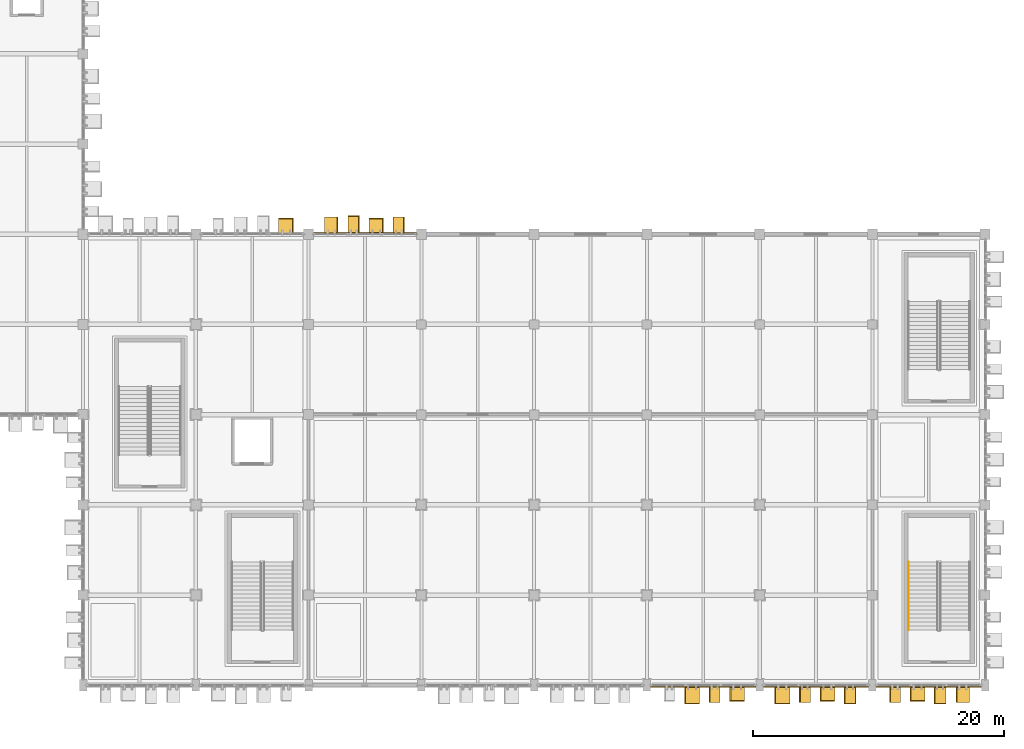
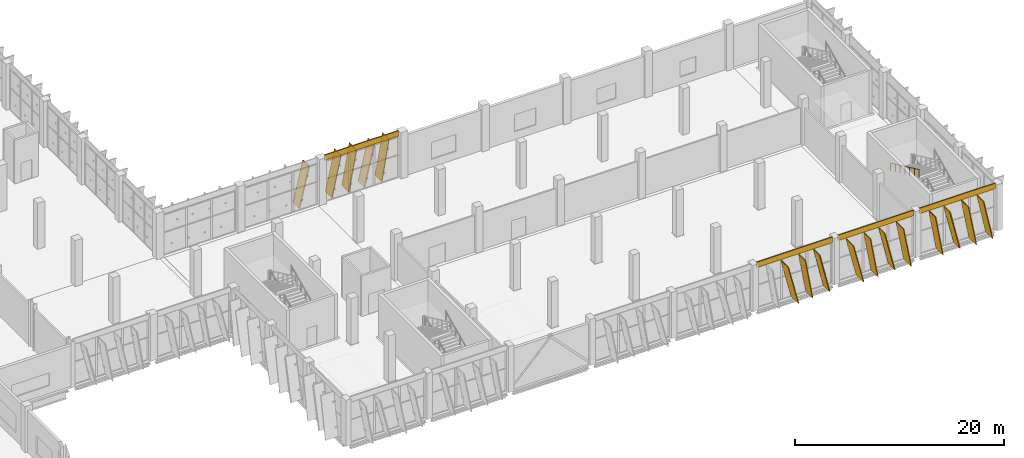
# One storey, part 120 of 137: 20 coverings, 16 shading devices, 1 railing.
"""IFC4 building model written with IfcOpenShell, lengths in metres."""

from ifc_helpers import new_model, si_unit, direction, frame, origin, origin_2d, place, context, subcontext, project, spatial, rectangle, circle, extrude, material, layer, layer_set, material_profile, profile_set, type_object, element, save


model = new_model("IFC4")

# Units and contexts
model_context = context("Model", 3, precision=1e-05, world=origin(), true_north=direction((0.0, 1.0)))
body_context = subcontext(model_context, "Body", "Model", "MODEL_VIEW")
ifc_project = project(units=[si_unit("LENGTHUNIT", "METRE"), si_unit("AREAUNIT", "SQUARE_METRE"), si_unit("VOLUMEUNIT", "CUBIC_METRE"), si_unit("PLANEANGLEUNIT", "RADIAN"), si_unit("MASSUNIT", "GRAM", prefix="KILO")], contexts=[model_context])

# Site, building, storey
site_placement = place(None, origin())
site = spatial("IfcSite", under=ifc_project, at=site_placement, CompositionType="ELEMENT")
building_placement = place(site_placement, origin())
building = spatial("IfcBuilding", under=site, at=building_placement, Name="Celestram Park Convention Centre", CompositionType="ELEMENT")
storey_placement = place(building_placement, origin())
storey = spatial("IfcBuildingStorey", under=building, at=storey_placement, Name="L00", CompositionType="ELEMENT", Elevation=0.0)

# Coverings
ifc_material_1 = material(Name="Anodised Bronze Aluminium Spandrel Cladding", Category="aluminium")
ifc_layer_1 = layer(ifc_material_1, 0.050048828125)
ifc_layer_set_1 = layer_set([ifc_layer_1], Name="Anodised Bronze Aluminium Spandrel Cladding")
covering_type_1 = type_object("IfcCoveringType", Name="ARC-COV-CLD060", PredefinedType="CLADDING", material=ifc_layer_set_1)
covering_placement = place(storey_placement, frame((166.5, 36.080078125, 4.76708984375), z_axis=(0.0, 0.0, 1.0), x_axis=(1.0, 0.0, 0.0)))
element("IfcCovering", 1, at=covering_placement, inside=storey, type_object=covering_type_1, Name="Bronze spandrel cladding CL-L00-020", PredefinedType="CLADDING", context=body_context, shape_type="SweptSolid", body=[
    extrude(rectangle(XDim=8.2041015625, YDim=0.1201171875, at=origin_2d()), origin(), (0.0, 0.0, 1.0), 0.633056640625),
])
for number, where, z_axis, x_axis, name in (
    (2, (211.5, -0.080078125, 4.76708984375), (0.0, 0.0, 1.0), (-1.0, 0.0, 0.0), "Bronze spandrel cladding CL-L00-026"),
    (3, (202.5, -0.080078125, 4.76708984375), (0.0, 0.0, 1.0), (-1.0, 0.0, 0.0), "Bronze spandrel cladding CL-L00-027"),
    (4, (193.5, -0.080078125, 4.76708984375), (0.0, 0.0, 1.0), (-1.0, 0.0, 0.0), "Bronze spandrel cladding CL-L00-028"),
):
    element("IfcCovering", number, at=place(storey_placement, frame(where, z_axis=z_axis, x_axis=x_axis)), inside=storey, type_object=covering_type_1, Name=name, PredefinedType="CLADDING", context=body_context, shape_type="SweptSolid", body=[
        extrude(rectangle(XDim=8.404052734375, YDim=0.1201171875, at=origin_2d()), origin(), (0.0, 0.0, 1.0), 0.633056640625),
    ])
ifc_material_2 = material(Name="Timber-Toned Anodised Aluminium Alloy 6063-T6", Category="wood")
ifc_material_profile_1 = material_profile(ifc_material_2, rectangle(XDim=1.1201171875, YDim=0.090087890625, at=origin_2d()), Name="REED1120X90")
ifc_profile_set_1 = profile_set([ifc_material_profile_1], Name="Timber-Toned Anodised Aluminium Alloy 6063-T6")
covering_type_2 = type_object("IfcCoveringType", Name="ARC-COV-FIN1120", PredefinedType="CLADDING", material=ifc_profile_set_1)
for number, where, z_axis, x_axis, name in (
    (5, (159.651123046875, 36.639892578125, 0.069580078125), (0.231727367965, 0.0, 0.972780770233), (0.0, 1.0, 0.0), "Leaning timber-toned reed fin RFN-L00-0063"),
    (6, (166.85107421875, 36.639892578125, 0.069580078125), (0.231776140261, 0.0, 0.97276915083), (0.0, 1.0, 0.0), "Leaning timber-toned reed fin RFN-L00-0066"),
    (7, (211.14892578125, -0.639892578125, 0.069580078125), (-0.231776140261, 0.0, 0.97276915083), (0.0, -1.0, 0.0), "Leaning timber-toned reed fin RFN-L00-0085"),
    (8, (203.948974609375, -0.639892578125, 0.069580078125), (-0.231776140261, 0.0, 0.97276915083), (0.0, -1.0, 0.0), "Leaning timber-toned reed fin RFN-L00-0088"),
    (9, (196.748779296875, -0.639892578125, 0.069580078125), (-0.231727367965, 0.0, 0.972780770233), (0.0, -1.0, 0.0), "Leaning timber-toned reed fin RFN-L00-0091"),
):
    element("IfcCovering", number, at=place(storey_placement, frame(where, z_axis=z_axis, x_axis=x_axis)), inside=storey, type_object=covering_type_2, Name=name, PredefinedType="CLADDING", context=body_context, shape_type="SweptSolid", body=[
        extrude(rectangle(XDim=1.1201171875, YDim=0.090087890625, at=origin_2d()), origin(), (0.0, 0.0, 1.0), 4.73681640625),
    ])
ifc_material_profile_2 = material_profile(ifc_material_2, rectangle(XDim=1.280029296875, YDim=0.090087890625, at=origin_2d()), Name="REED1280X90")
ifc_profile_set_2 = profile_set([ifc_material_profile_2], Name="Timber-Toned Anodised Aluminium Alloy 6063-T6")
covering_type_3 = type_object("IfcCoveringType", Name="ARC-COV-FIN1280", PredefinedType="CLADDING", material=ifc_profile_set_2)
for number, where, z_axis, x_axis, name in (
    (10, (163.303466796875, 36.719970703125, 0.0576171875), (0.209606521321, 0.0, 0.977785818173), (0.0, 1.0, 0.0), "Leaning timber-toned reed fin RFN-L00-0064"),
    (11, (168.796875, 36.719970703125, 0.03955078125), (0.170179599003, 0.0, 0.985413062671), (0.0, 1.0, 0.0), "Leaning timber-toned reed fin RFN-L00-0067"),
    (12, (214.696533203125, -0.719970703125, 0.0576171875), (-0.209606521321, 0.0, 0.977785818173), (0.0, -1.0, 0.0), "Leaning timber-toned reed fin RFN-L00-0083"),
    (13, (209.203125, -0.719970703125, 0.03955078125), (-0.170179599003, 0.0, 0.985413062671), (0.0, -1.0, 0.0), "Leaning timber-toned reed fin RFN-L00-0086"),
    (14, (202.003173828125, -0.719970703125, 0.03955078125), (-0.170179599003, 0.0, 0.985413062671), (0.0, -1.0, 0.0), "Leaning timber-toned reed fin RFN-L00-0089"),
    (15, (194.802978515625, -0.719970703125, 0.03955078125), (-0.170179599003, 0.0, 0.985413062671), (0.0, -1.0, 0.0), "Leaning timber-toned reed fin RFN-L00-0092"),
):
    element("IfcCovering", number, at=place(storey_placement, frame(where, z_axis=z_axis, x_axis=x_axis)), inside=storey, type_object=covering_type_3, Name=name, PredefinedType="CLADDING", context=body_context, shape_type="SweptSolid", body=[
        extrude(rectangle(XDim=1.280029296875, YDim=0.090087890625, at=origin_2d()), origin(), (0.0, 0.0, 1.0), 4.737060546875),
    ])
ifc_material_profile_3 = material_profile(ifc_material_2, rectangle(XDim=1.419921875, YDim=0.090087890625, at=origin_2d()), Name="REED1420X90")
ifc_profile_set_3 = profile_set([ifc_material_profile_3], Name="Timber-Toned Anodised Aluminium Alloy 6063-T6")
covering_type_4 = type_object("IfcCoveringType", Name="ARC-COV-FIN1420", PredefinedType="CLADDING", material=ifc_profile_set_3)
for number, where, z_axis, x_axis, name in (
    (16, (165.17236328125, 36.7900390625, 0.0439453125), (0.180540613043, 0.0, 0.983567530494), (0.0, 1.0, 0.0), "Leaning timber-toned reed fin RFN-L00-0065"),
    (17, (212.82763671875, -0.7900390625, 0.0439453125), (-0.180540613043, 0.0, 0.983567530494), (0.0, -1.0, 0.0), "Leaning timber-toned reed fin RFN-L00-0084"),
    (18, (205.627685546875, -0.7900390625, 0.0439453125), (-0.180540613043, 0.0, 0.983567530494), (0.0, -1.0, 0.0), "Leaning timber-toned reed fin RFN-L00-0087"),
):
    element("IfcCovering", number, at=place(storey_placement, frame(where, z_axis=z_axis, x_axis=x_axis)), inside=storey, type_object=covering_type_4, Name=name, PredefinedType="CLADDING", context=body_context, shape_type="SweptSolid", body=[
        extrude(rectangle(XDim=1.419921875, YDim=0.090087890625, at=origin_2d()), origin(), (0.0, 0.0, 1.0), 4.737060546875),
    ])
for number, where, z_axis, x_axis, name in (
    (19, (200.364990234375, -0.7900390625, 0.073486328125), (-0.238531557545, 0.0, 0.971134746601), (0.0, -1.0, 0.0), "Leaning timber-toned reed fin RFN-L00-0090"),
    (20, (193.1650390625, -0.7900390625, 0.073486328125), (-0.238580165066, 0.0, 0.971122806259), (0.0, -1.0, 0.0), "Leaning timber-toned reed fin RFN-L00-0093"),
):
    element("IfcCovering", number, at=place(storey_placement, frame(where, z_axis=z_axis, x_axis=x_axis)), inside=storey, type_object=covering_type_4, Name=name, PredefinedType="CLADDING", context=body_context, shape_type="SweptSolid", body=[
        extrude(rectangle(XDim=1.419921875, YDim=0.090087890625, at=origin_2d()), origin(), (0.0, 0.0, 1.0), 4.73681640625),
    ])

# Shading devices
ifc_material_3 = material(Name="Anodised Bronze Aluminium Alloy 6063-T6", Category="aluminium")
ifc_material_profile_4 = material_profile(ifc_material_3, rectangle(XDim=1.280029296875, YDim=0.080078125, at=origin_2d()), Name="FIN1280X80")
ifc_profile_set_4 = profile_set([ifc_material_profile_4], Name="Anodised Bronze Aluminium Alloy 6063-T6")
shading_device_type = type_object("IfcShadingDeviceType", Name="ARC-FIN-BZ1280", PredefinedType="USERDEFINED", material=ifc_profile_set_4)
shading_device_1_placement = place(storey_placement, frame((159.651123046875, 36.639892578125, 0.069580078125), z_axis=(0.231727367965, 0.0, 0.972780770233), x_axis=(0.0, 1.0, 0.0)))
element("IfcShadingDevice", 21, at=shading_device_1_placement, inside=storey, type_object=shading_device_type, Name="Expressive solar fin FN-L00-0063", ObjectType="SOLAR_FIN", PredefinedType="USERDEFINED", context=body_context, shape_type="SweptSolid", body=[
    extrude(rectangle(XDim=1.280029296875, YDim=0.080078125, at=origin_2d()), origin(), (0.0, 0.0, 1.0), 4.73681640625),
])
for number, where, z_axis, x_axis, name in (
    (22, (163.303466796875, 36.719970703125, 0.0576171875), (0.209606521321, 0.0, 0.977785818173), (0.0, 1.0, 0.0), "Expressive solar fin FN-L00-0064"),
    (23, (165.17236328125, 36.7900390625, 0.0439453125), (0.180540613043, 0.0, 0.983567530494), (0.0, 1.0, 0.0), "Expressive solar fin FN-L00-0065"),
):
    element("IfcShadingDevice", number, at=place(storey_placement, frame(where, z_axis=z_axis, x_axis=x_axis)), inside=storey, type_object=shading_device_type, Name=name, ObjectType="SOLAR_FIN", PredefinedType="USERDEFINED", context=body_context, shape_type="SweptSolid", body=[
        extrude(rectangle(XDim=1.280029296875, YDim=0.080078125, at=origin_2d()), origin(), (0.0, 0.0, 1.0), 4.737060546875),
    ])
shading_device_2_placement = place(storey_placement, frame((166.85107421875, 36.639892578125, 0.069580078125), z_axis=(0.231776140261, 0.0, 0.97276915083), x_axis=(0.0, 1.0, 0.0)))
element("IfcShadingDevice", 24, at=shading_device_2_placement, inside=storey, type_object=shading_device_type, Name="Expressive solar fin FN-L00-0066", ObjectType="SOLAR_FIN", PredefinedType="USERDEFINED", context=body_context, shape_type="SweptSolid", body=[
    extrude(rectangle(XDim=1.280029296875, YDim=0.080078125, at=origin_2d()), origin(), (0.0, 0.0, 1.0), 4.73681640625),
])
for number, where, z_axis, x_axis, name in (
    (25, (168.796875, 36.719970703125, 0.03955078125), (0.170179599003, 0.0, 0.985413062671), (0.0, 1.0, 0.0), "Expressive solar fin FN-L00-0067"),
    (26, (214.696533203125, -0.719970703125, 0.0576171875), (-0.209606521321, 0.0, 0.977785818173), (0.0, -1.0, 0.0), "Expressive solar fin FN-L00-0083"),
    (27, (212.82763671875, -0.7900390625, 0.0439453125), (-0.180540613043, 0.0, 0.983567530494), (0.0, -1.0, 0.0), "Expressive solar fin FN-L00-0084"),
):
    element("IfcShadingDevice", number, at=place(storey_placement, frame(where, z_axis=z_axis, x_axis=x_axis)), inside=storey, type_object=shading_device_type, Name=name, ObjectType="SOLAR_FIN", PredefinedType="USERDEFINED", context=body_context, shape_type="SweptSolid", body=[
        extrude(rectangle(XDim=1.280029296875, YDim=0.080078125, at=origin_2d()), origin(), (0.0, 0.0, 1.0), 4.737060546875),
    ])
shading_device_3_placement = place(storey_placement, frame((211.14892578125, -0.639892578125, 0.069580078125), z_axis=(-0.231776140261, 0.0, 0.97276915083), x_axis=(0.0, -1.0, 0.0)))
element("IfcShadingDevice", 28, at=shading_device_3_placement, inside=storey, type_object=shading_device_type, Name="Expressive solar fin FN-L00-0085", ObjectType="SOLAR_FIN", PredefinedType="USERDEFINED", context=body_context, shape_type="SweptSolid", body=[
    extrude(rectangle(XDim=1.280029296875, YDim=0.080078125, at=origin_2d()), origin(), (0.0, 0.0, 1.0), 4.73681640625),
])
for number, where, z_axis, x_axis, name in (
    (29, (209.203125, -0.719970703125, 0.03955078125), (-0.170179599003, 0.0, 0.985413062671), (0.0, -1.0, 0.0), "Expressive solar fin FN-L00-0086"),
    (30, (205.627685546875, -0.7900390625, 0.0439453125), (-0.180540613043, 0.0, 0.983567530494), (0.0, -1.0, 0.0), "Expressive solar fin FN-L00-0087"),
):
    element("IfcShadingDevice", number, at=place(storey_placement, frame(where, z_axis=z_axis, x_axis=x_axis)), inside=storey, type_object=shading_device_type, Name=name, ObjectType="SOLAR_FIN", PredefinedType="USERDEFINED", context=body_context, shape_type="SweptSolid", body=[
        extrude(rectangle(XDim=1.280029296875, YDim=0.080078125, at=origin_2d()), origin(), (0.0, 0.0, 1.0), 4.737060546875),
    ])
shading_device_4_placement = place(storey_placement, frame((203.948974609375, -0.639892578125, 0.069580078125), z_axis=(-0.231776140261, 0.0, 0.97276915083), x_axis=(0.0, -1.0, 0.0)))
element("IfcShadingDevice", 31, at=shading_device_4_placement, inside=storey, type_object=shading_device_type, Name="Expressive solar fin FN-L00-0088", ObjectType="SOLAR_FIN", PredefinedType="USERDEFINED", context=body_context, shape_type="SweptSolid", body=[
    extrude(rectangle(XDim=1.280029296875, YDim=0.080078125, at=origin_2d()), origin(), (0.0, 0.0, 1.0), 4.73681640625),
])
shading_device_5_placement = place(storey_placement, frame((202.003173828125, -0.719970703125, 0.03955078125), z_axis=(-0.170179599003, 0.0, 0.985413062671), x_axis=(0.0, -1.0, 0.0)))
element("IfcShadingDevice", 32, at=shading_device_5_placement, inside=storey, type_object=shading_device_type, Name="Expressive solar fin FN-L00-0089", ObjectType="SOLAR_FIN", PredefinedType="USERDEFINED", context=body_context, shape_type="SweptSolid", body=[
    extrude(rectangle(XDim=1.280029296875, YDim=0.080078125, at=origin_2d()), origin(), (0.0, 0.0, 1.0), 4.737060546875),
])
for number, where, z_axis, x_axis, name in (
    (33, (200.364990234375, -0.7900390625, 0.073486328125), (-0.238531557545, 0.0, 0.971134746601), (0.0, -1.0, 0.0), "Expressive solar fin FN-L00-0090"),
    (34, (196.748779296875, -0.639892578125, 0.069580078125), (-0.231727367965, 0.0, 0.972780770233), (0.0, -1.0, 0.0), "Expressive solar fin FN-L00-0091"),
):
    element("IfcShadingDevice", number, at=place(storey_placement, frame(where, z_axis=z_axis, x_axis=x_axis)), inside=storey, type_object=shading_device_type, Name=name, ObjectType="SOLAR_FIN", PredefinedType="USERDEFINED", context=body_context, shape_type="SweptSolid", body=[
        extrude(rectangle(XDim=1.280029296875, YDim=0.080078125, at=origin_2d()), origin(), (0.0, 0.0, 1.0), 4.73681640625),
    ])
shading_device_6_placement = place(storey_placement, frame((194.802978515625, -0.719970703125, 0.03955078125), z_axis=(-0.170179599003, 0.0, 0.985413062671), x_axis=(0.0, -1.0, 0.0)))
element("IfcShadingDevice", 35, at=shading_device_6_placement, inside=storey, type_object=shading_device_type, Name="Expressive solar fin FN-L00-0092", ObjectType="SOLAR_FIN", PredefinedType="USERDEFINED", context=body_context, shape_type="SweptSolid", body=[
    extrude(rectangle(XDim=1.280029296875, YDim=0.080078125, at=origin_2d()), origin(), (0.0, 0.0, 1.0), 4.737060546875),
])
shading_device_7_placement = place(storey_placement, frame((193.1650390625, -0.7900390625, 0.073486328125), z_axis=(-0.238580165066, 0.0, 0.971122806259), x_axis=(0.0, -1.0, 0.0)))
element("IfcShadingDevice", 36, at=shading_device_7_placement, inside=storey, type_object=shading_device_type, Name="Expressive solar fin FN-L00-0093", ObjectType="SOLAR_FIN", PredefinedType="USERDEFINED", context=body_context, shape_type="SweptSolid", body=[
    extrude(rectangle(XDim=1.280029296875, YDim=0.080078125, at=origin_2d()), origin(), (0.0, 0.0, 1.0), 4.73681640625),
])

# Railing
ifc_material_4 = material(Name="Brushed Stainless Steel AISI 304", Category="steel")
ifc_layer_2 = layer(ifc_material_4, 0.048095703125)
ifc_layer_set_2 = layer_set([ifc_layer_2], Name="Brushed Stainless Steel AISI 304")
railing_type = type_object("IfcRailingType", Name="ARC-RL-HND915", PredefinedType="HANDRAIL", material=ifc_layer_set_2)
railing_placement = place(storey_placement, frame((209.8759765625, 9.840087890625, 2.85009765625)))
element("IfcRailing", 37, at=railing_placement, inside=storey, type_object=railing_type, Name="L00 ST-11 stair handrail 2", PredefinedType="HANDRAIL", context=body_context, shape_type="SweptSolid", body=[
    extrude(circle(Radius=0.02392578125, at=origin_2d()), frame((0.0, 0.0, 0.8759765625), z_axis=(0.0, -0.90547699167, 0.424395355248), x_axis=(1.0, 0.0, 0.0)), (0.0, 0.0, 1.0), 6.008056640625),
    extrude(circle(Radius=0.02099609375, at=origin_2d()), origin(), (0.0, 0.0, 1.0), 0.851806640625),
    extrude(circle(Radius=0.02099609375, at=origin_2d()), frame((0.0, -0.90673828125, 0.425048828125)), (0.0, 0.0, 1.0), 0.851806640625),
    extrude(circle(Radius=0.02099609375, at=origin_2d()), frame((0.0, -1.8134765625, 0.849853515625)), (0.0, 0.0, 1.0), 0.851806640625),
    extrude(circle(Radius=0.02099609375, at=origin_2d()), frame((0.0, -2.72021484375, 1.27490234375)), (0.0, 0.0, 1.0), 0.851806640625),
    extrude(circle(Radius=0.02099609375, at=origin_2d()), frame((0.0, -3.626708984375, 1.699951171875)), (0.0, 0.0, 1.0), 0.851806640625),
    extrude(circle(Radius=0.02099609375, at=origin_2d()), frame((0.0, -4.533447265625, 2.124755859375)), (0.0, 0.0, 1.0), 0.851806640625),
    extrude(circle(Radius=0.02099609375, at=origin_2d()), frame((0.0, -5.440185546875, 2.5498046875)), (0.0, 0.0, 1.0), 0.851806640625),
])

save(model, "model.ifc")
